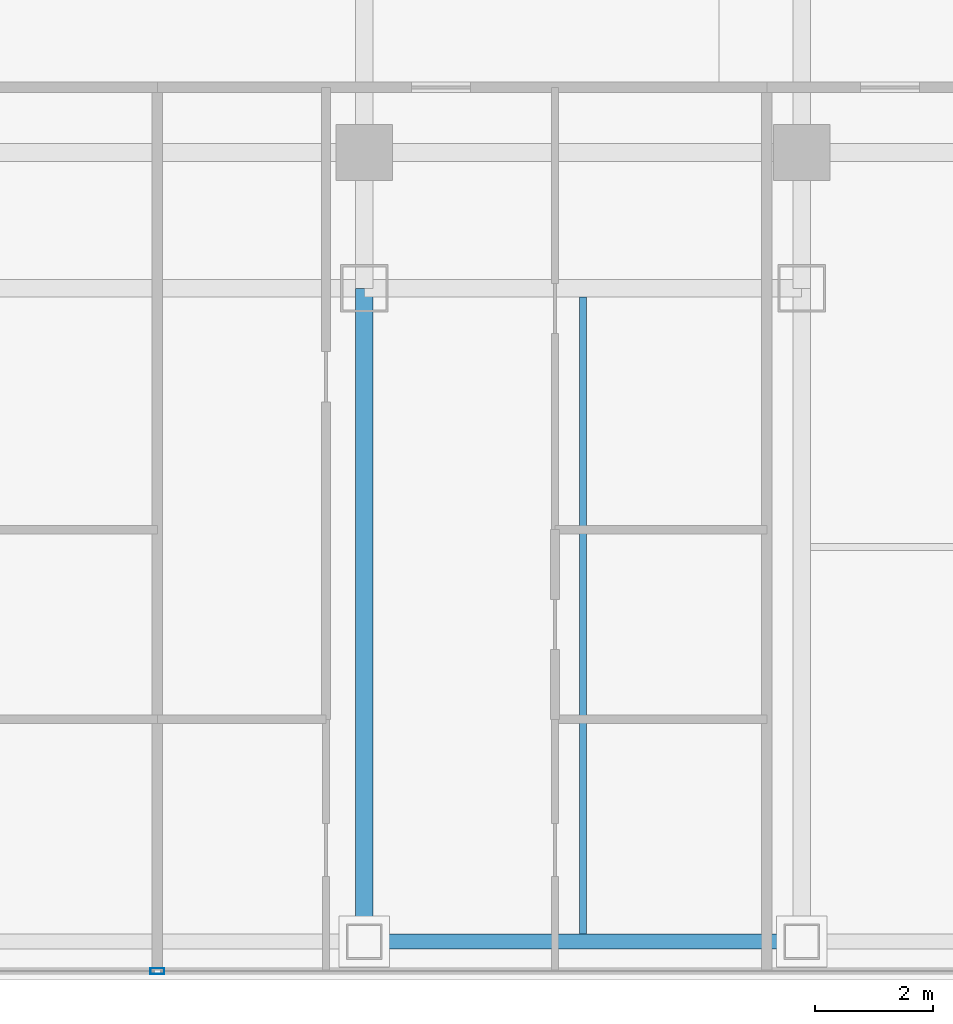
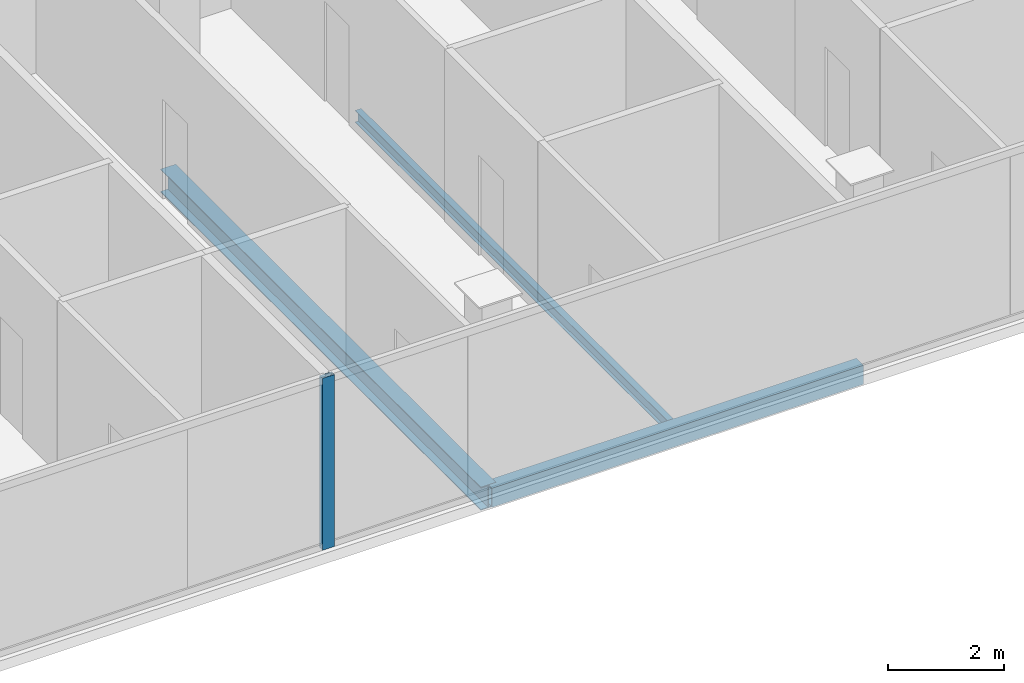
# One storey, part 4 of 26: 3 beams, 1 member, 1 element without a shape of its own.
"""IFC4 building model written with IfcOpenShell, lengths in metres."""

from ifc_helpers import new_model, si_unit, direction, frame, origin, origin_2d, place, context, subcontext, project, spatial, hollow_rectangle, i_section, extrude, material, layer, layer_set, material_profile, profile_set, type_object, element, aggregate, save


model = new_model("IFC4")

# Units and contexts
model_context = context("Model", 3, precision=1e-05, world=origin(), true_north=direction((0.0, 1.0)))
body_context = subcontext(model_context, "Body", "Model", "MODEL_VIEW")
ifc_project = project(units=[si_unit("LENGTHUNIT", "METRE"), si_unit("AREAUNIT", "SQUARE_METRE"), si_unit("VOLUMEUNIT", "CUBIC_METRE"), si_unit("PLANEANGLEUNIT", "RADIAN"), si_unit("MASSUNIT", "GRAM", prefix="KILO")], contexts=[model_context])

# Site, building, storey
site_placement = place(None, origin())
site = spatial("IfcSite", under=ifc_project, at=site_placement, CompositionType="ELEMENT")
building_placement = place(site_placement, origin())
building = spatial("IfcBuilding", under=site, at=building_placement, Name="Khorvyn Point Tower", CompositionType="ELEMENT")
storey_placement = place(building_placement, frame((0.0, 0.0, 250.800048828125)))
storey = spatial("IfcBuildingStorey", under=building, at=storey_placement, Name="L61", CompositionType="ELEMENT", Elevation=250.800048828125)

# Curtain wall, member
ifc_material_1 = material(Name="Anodised aluminium 6063-T6 and laminated Low-E glass", Category="aluminium")
ifc_layer = layer(ifc_material_1, 0.18994140625)
ifc_layer_set = layer_set([ifc_layer], Name="Stick-Built Acoustic Curtain Wall CW-SYS-03")
curtain_wall_type = type_object("IfcCurtainWallType", Name="Stick-Built Acoustic Curtain Wall CW-SYS-03", PredefinedType="NOTDEFINED", material=ifc_layer_set)
curtain_wall_placement = place(storey_placement, origin())
curtain_wall = element("IfcCurtainWall", 1, at=curtain_wall_placement, inside=storey, type_object=curtain_wall_type, Name="Curtain Wall", PredefinedType="NOTDEFINED")
ifc_material_2 = material(Name="Anodised aluminium 6063-T6", Category="aluminium")
ifc_material_profile_1 = material_profile(ifc_material_2, hollow_rectangle(XDim=0.10009765625, YDim=0.239990234375, WallThickness=0.0048828125, at=origin_2d()))
ifc_profile_set_1 = profile_set([ifc_material_profile_1], Name="Anodised aluminium 6063-T6 ALU-MUL-100x240")
member_type = type_object("IfcMemberType", Name="Anodised Aluminium 6063-T6 Mullion ALU-MUL-100x240", PredefinedType="MULLION", material=ifc_profile_set_1)
member_placement = place(storey_placement, frame((3.89990234375, -28.64990234375, 0.0), z_axis=(0.0, 0.0, 1.0), x_axis=(0.0, -1.0, 0.0)))
member = element("IfcMember", 2, at=member_placement, type_object=member_type, Name="Transom", PredefinedType="MULLION", context=body_context, shape_type="SweptSolid", body=[
    extrude(hollow_rectangle(XDim=0.10009765625, YDim=0.239990234375, WallThickness=0.0048828125, at=origin_2d()), origin(), (0.0, 0.0, 1.0), 3.619873046875),
])
aggregate(curtain_wall, [member])

# Beams
ifc_material_3 = material(Name="Steel S355", Category="steel")
ifc_material_profile_2 = material_profile(ifc_material_3, i_section(OverallWidth=0.125, OverallDepth=0.25, WebThickness=0.006103515625, FlangeThickness=0.009033203125, at=origin_2d()))
ifc_profile_set_2 = profile_set([ifc_material_profile_2], Name="Steel S355 H250x125x6x9")
beam_type_1 = type_object("IfcBeamType", Name="Steel S355 Joist H250x125x6x9", PredefinedType="JOIST", material=ifc_profile_set_2)
beam_1_placement = place(storey_placement, frame((11.10009765625, -28.02490234375, -0.344970703125), z_axis=(0.0, 1.0, 0.0), x_axis=(-1.0, 0.0, 0.0)))
element("IfcBeam", 3, at=beam_1_placement, inside=storey, type_object=beam_type_1, Name="Beam", PredefinedType="JOIST", context=body_context, shape_type="SweptSolid", body=[
    extrude(i_section(OverallWidth=0.125, OverallDepth=0.25, WebThickness=0.006103515625, FlangeThickness=0.009033203125, at=origin_2d()), origin(), (0.0, 0.0, 1.0), 10.77490234375),
])
ifc_material_profile_3 = material_profile(ifc_material_3, i_section(OverallWidth=0.300048828125, OverallDepth=0.488037109375, WebThickness=0.010986328125, FlangeThickness=0.01806640625, at=origin_2d()))
ifc_profile_set_3 = profile_set([ifc_material_profile_3], Name="Steel S355 H488x300x11x18")
beam_type_2 = type_object("IfcBeamType", Name="Steel S355 Spandrel H488x300x11x18", PredefinedType="SPANDREL", material=ifc_profile_set_3)
beam_2_placement = place(storey_placement, frame((7.39990234375, -28.14990234375, -0.464111328125), z_axis=(0.0, 1.0, 0.0), x_axis=(-1.0, 0.0, 0.0)))
element("IfcBeam", 4, at=beam_2_placement, inside=storey, type_object=beam_type_2, Name="Beam", PredefinedType="SPANDREL", context=body_context, shape_type="SweptSolid", body=[
    extrude(i_section(OverallWidth=0.300048828125, OverallDepth=0.488037109375, WebThickness=0.010986328125, FlangeThickness=0.01806640625, at=origin_2d()), origin(), (0.0, 0.0, 1.0), 11.0498046875),
])
ifc_material_profile_4 = material_profile(ifc_material_3, hollow_rectangle(XDim=0.25, YDim=0.39990234375, WallThickness=0.01611328125, at=origin_2d()))
ifc_profile_set_4 = profile_set([ifc_material_profile_4], Name="Steel S355 RHS400x250x16")
beam_type_3 = type_object("IfcBeamType", Name="Steel S355 Spandrel RHS400x250x16", PredefinedType="SPANDREL", material=ifc_profile_set_4)
beam_3_placement = place(storey_placement, frame((7.39990234375, -28.14990234375, -0.420166015625), z_axis=(1.0, 0.0, 0.0), x_axis=(0.0, 1.0, 0.0)))
element("IfcBeam", 5, at=beam_3_placement, inside=storey, type_object=beam_type_3, Name="Beam", PredefinedType="SPANDREL", context=body_context, shape_type="SweptSolid", body=[
    extrude(hollow_rectangle(XDim=0.25, YDim=0.39990234375, WallThickness=0.01611328125, at=origin_2d()), origin(), (0.0, 0.0, 1.0), 7.400146484375),
])

save(model, "model.ifc")
